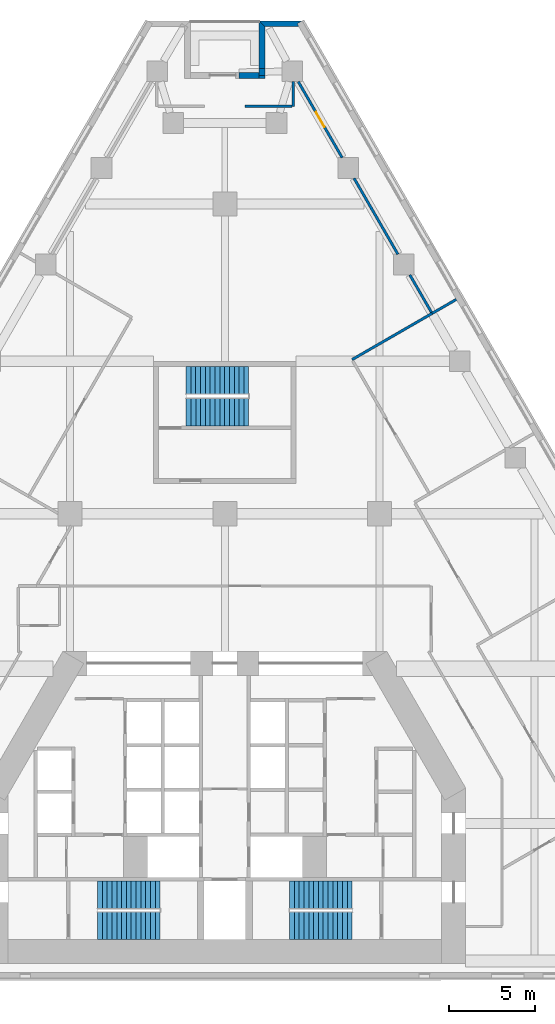
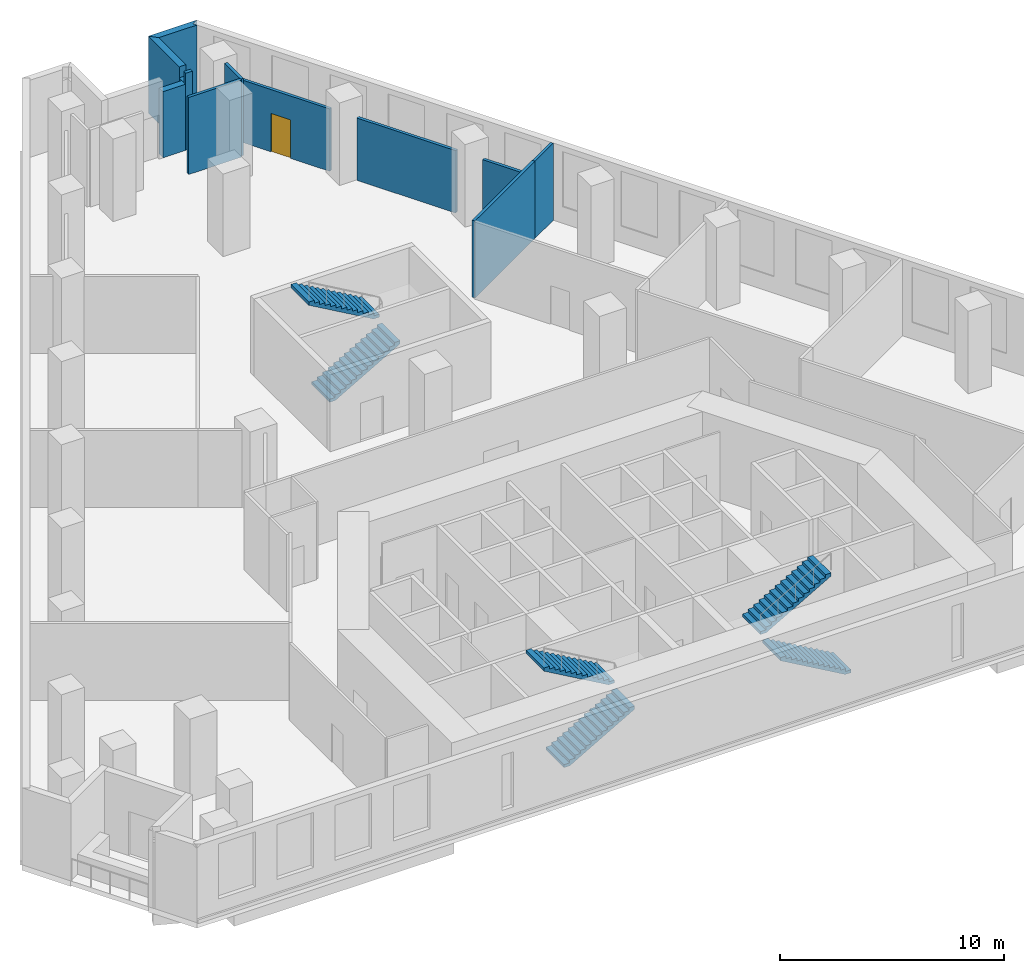
# One storey, part 9 of 10: 12 walls, 6 stair flights, 1 door, 1 opening, 3 elements without a shape of their own.
"""IFC4 building model written with IfcOpenShell, lengths in metres."""

from ifc_helpers import new_model, si_unit, direction, frame, frame_2d, origin, place, context, subcontext, project, spatial, polyline, rectangle, outline, extrude, material, layer, layer_set, type_object, element, fill, aggregate, save


model = new_model("IFC4")

# Units and contexts
model_context = context("Model", 3, precision=1e-05, world=origin(), true_north=direction((0.0, 1.0)))
body_context = subcontext(model_context, "Body", "Model", "MODEL_VIEW")
ifc_project = project(units=[si_unit("LENGTHUNIT", "METRE"), si_unit("AREAUNIT", "SQUARE_METRE"), si_unit("VOLUMEUNIT", "CUBIC_METRE"), si_unit("PLANEANGLEUNIT", "RADIAN"), si_unit("MASSUNIT", "GRAM", prefix="KILO")], contexts=[model_context])

# Site, building, storey
site_placement = place(None, origin())
site = spatial("IfcSite", under=ifc_project, at=site_placement, CompositionType="ELEMENT")
building_placement = place(site_placement, origin())
building = spatial("IfcBuilding", under=site, at=building_placement, Name="Fogline Exchange Tower", CompositionType="ELEMENT")
storey_placement = place(building_placement, frame((0.0, 0.0, 38.5)))
storey = spatial("IfcBuildingStorey", under=building, at=storey_placement, Name="L07", CompositionType="ELEMENT", Elevation=38.5)

# Walls
ifc_material_1 = material(Name="Brick masonry", Category="masonry")
ifc_layer_1 = layer(ifc_material_1, 0.340087890625)
ifc_layer_set_1 = layer_set([ifc_layer_1], Name="FW1")
wall_type_1 = type_object("IfcWallType", Name="FW1", PredefinedType="SOLIDWALL", material=ifc_layer_set_1)
wall_1_placement = place(storey_placement, origin())
element("IfcWall", 1, at=wall_1_placement, inside=storey, type_object=wall_type_1, Name="Brick wall L07 N-c1", PredefinedType="SOLIDWALL", context=body_context, shape_type="SweptSolid", body=[
    extrude(outline(polyline([(1.9990234375, 55.647216796875), (4.5009765625, 55.647216796875), (4.501220703125, 55.646728515625), (4.206298828125, 55.476318359375), (4.3046875, 55.30615234375), (2.33984375, 55.30615234375), (1.998779296875, 55.64697265625), (1.9990234375, 55.647216796875)])), origin(), (0.0, 0.0, 1.0), 4.199951171875),
])
wall_2_placement = place(storey_placement, origin())
element("IfcWall", 2, at=wall_2_placement, inside=storey, type_object=wall_type_1, Name="Brick wall L07 N-s1", PredefinedType="SOLIDWALL", context=body_context, shape_type="SweptSolid", body=[
    extrude(outline(polyline([(1.99951171875, 52.876953125), (2.340576171875, 52.883056640625), (2.340576171875, 52.483154296875), (1.99951171875, 52.476806640625), (1.99951171875, 52.876953125)])), origin(), (0.0, 0.0, 1.0), 3.60009765625),
])
wall_3_placement = place(storey_placement, origin())
element("IfcWall", 3, at=wall_3_placement, inside=storey, type_object=wall_type_1, Name="Brick wall L07 N-s1", PredefinedType="SOLIDWALL", context=body_context, shape_type="SweptSolid", body=[
    extrude(outline(polyline([(1.99951171875, 52.30615234375), (1.99951171875, 52.476806640625), (2.340576171875, 52.483154296875), (2.340576171875, 52.30615234375), (1.99951171875, 52.30615234375)])), origin(), (0.0, 0.0, 1.0), 4.199951171875),
])
wall_4_placement = place(storey_placement, origin())
element("IfcWall", 4, at=wall_4_placement, inside=storey, type_object=wall_type_1, Name="Brick wall L07 N-s1", PredefinedType="SOLIDWALL", context=body_context, shape_type="SweptSolid", body=[
    extrude(outline(polyline([(1.99951171875, 55.647705078125), (1.999755859375, 55.647705078125), (2.340576171875, 55.306884765625), (2.340576171875, 52.883056640625), (1.99951171875, 52.876953125), (1.99951171875, 55.647705078125)])), origin(), (0.0, 0.0, 1.0), 4.199951171875),
])
wall_5_placement = place(storey_placement, frame((2.0, 52.4765625, 0.0), z_axis=(0.0, 0.0, 1.0), x_axis=(-1.0, 0.0, 0.0)))
element("IfcWall", 5, at=wall_5_placement, inside=storey, type_object=wall_type_1, Name="Brick wall L07 N-bk", PredefinedType="SOLIDWALL", context=body_context, shape_type="SweptSolid", body=[
    extrude(rectangle(XDim=1.175537109375, YDim=0.340087890625, at=frame_2d((0.587890625, 0.0))), origin(), (0.0, 0.0, 1.0), 3.60009765625),
])
ifc_material_2 = material(Name="Plasterboard demising partition with mineral wool and acoustic board")
ifc_layer_2 = layer(ifc_material_2, 0.14990234375)
ifc_layer_set_2 = layer_set([ifc_layer_2], Name="PW3")
wall_type_2 = type_object("IfcWallType", Name="PW3", PredefinedType="PARTITIONING", material=ifc_layer_set_2)
wall_6_placement = place(storey_placement, frame((7.392822265625, 35.9560546875, 0.0), z_axis=(0.0, 0.0, 1.0), x_axis=(0.866028186671, 0.499995179869, 0.0)))
element("IfcWall", 6, at=wall_6_placement, inside=storey, type_object=wall_type_2, Name="wall-L07-W019", PredefinedType="PARTITIONING", context=body_context, shape_type="SweptSolid", body=[
    extrude(rectangle(XDim=5.37255859375, YDim=0.14990234375, at=frame_2d((2.686279296875, 0.0))), origin(), (0.0, 0.0, 1.0), 4.199951171875),
])
wall_7_placement = place(storey_placement, frame((12.045654296875, 38.642333984375, 0.0), z_axis=(0.0, 0.0, 1.0), x_axis=(0.866028203713, 0.499995150351, 0.0)))
element("IfcWall", 7, at=wall_7_placement, inside=storey, type_object=wall_type_2, Name="wall-L07-W021", PredefinedType="PARTITIONING", context=body_context, shape_type="SweptSolid", body=[
    extrude(rectangle(XDim=1.62744140625, YDim=0.14990234375, at=frame_2d((0.813720703125, 0.0))), origin(), (0.0, 0.0, 1.0), 4.199951171875),
])
wall_8_placement = place(storey_placement, frame((1.169677734375, 50.67919921875, 0.0), z_axis=(0.0, 0.0, 1.0), x_axis=(1.0, 0.0, 0.0)))
element("IfcWall", 8, at=wall_8_placement, inside=storey, type_object=wall_type_2, Name="wall-L07-W026", PredefinedType="PARTITIONING", context=body_context, shape_type="SweptSolid", body=[
    extrude(rectangle(XDim=2.722900390625, YDim=0.14990234375, at=frame_2d((1.361328125, 0.0))), origin(), (0.0, 0.0, 1.0), 4.199951171875),
])
wall_9_placement = place(storey_placement, frame((3.967529296875, 50.67919921875, 0.0), z_axis=(0.0, 0.0, 1.0), x_axis=(0.0, 1.0, 0.0)))
element("IfcWall", 9, at=wall_9_placement, inside=storey, type_object=wall_type_2, Name="wall-L07-W027", PredefinedType="PARTITIONING", context=body_context, shape_type="SweptSolid", body=[
    extrude(rectangle(XDim=1.4326171875, YDim=0.14990234375, at=frame_2d((0.71630859375, 0.0))), origin(), (0.0, 0.0, 1.0), 4.199951171875),
])

# Wall, opening, door
wall_10_placement = place(storey_placement, frame((4.26904296875, 52.11181640625, 0.0), z_axis=(0.0, 0.0, 1.0), x_axis=(0.499991921166, -0.866030068051, 0.0)))
wall_10 = element("IfcWall", 10, at=wall_10_placement, inside=storey, type_object=wall_type_2, Name="wall-L07-W028", PredefinedType="PARTITIONING", context=body_context, shape_type="SweptSolid", body=[
    extrude(rectangle(XDim=5.09765625, YDim=0.14990234375, at=frame_2d((2.548828125, 0.0))), origin(), (0.0, 0.0, 1.0), 3.39990234375),
])
opening_placement = place(wall_10_placement, frame((2.048828125, 0.0, 0.0)))
opening = element("IfcOpeningElement", 11, at=opening_placement, cuts=wall_10, Name="Opening T02-D008", PredefinedType="OPENING", context=body_context, shape_type="SweptSolid", body=[
    extrude(rectangle(XDim=1.0, YDim=2.10009765625, at=frame_2d((0.5, 1.050048828125))), frame((0.0, 0.0849609375, 0.0), z_axis=(0.0, -1.0, 0.0), x_axis=(1.0, 0.0, 0.0)), (0.0, 0.0, 1.0), 0.169921875),
])
ifc_material_3 = material(Name="Fire-rated timber door leaf with steel frame", Category="steel")
door_type = type_object("IfcDoorType", Name="D3", OperationType="SINGLE_SWING_LEFT", PredefinedType="DOOR", material=ifc_material_3)
door_placement = place(opening_placement, origin())
door = element("IfcDoor", 12, at=door_placement, inside=storey, type_object=door_type, Name="door-L07-D008", OperationType="SINGLE_SWING_RIGHT", OverallHeight=2.10009765625, OverallWidth=1.0, PredefinedType="DOOR", context=body_context, shape_type="SweptSolid", body=[
    extrude(rectangle(XDim=1.0, YDim=2.10009765625, at=frame_2d((0.5, 1.050048828125))), frame((0.0, 0.02490234375, 0.0), z_axis=(0.0, -1.0, 0.0), x_axis=(1.0, 0.0, 0.0)), (0.0, 0.0, 1.0), 0.050048828125),
])
fill(opening, door)

# Walls
wall_11_placement = place(storey_placement, frame((7.5107421875, 46.4970703125, 0.0), z_axis=(0.0, 0.0, 1.0), x_axis=(0.499991921166, -0.866030068051, 0.0)))
element("IfcWall", 13, at=wall_11_placement, inside=storey, type_object=wall_type_2, Name="wall-L07-W029", PredefinedType="PARTITIONING", context=body_context, shape_type="SweptSolid", body=[
    extrude(rectangle(XDim=5.09765625, YDim=0.14990234375, at=frame_2d((2.548828125, 0.0))), origin(), (0.0, 0.0, 1.0), 3.39990234375),
])
wall_12_placement = place(storey_placement, frame((10.75244140625, 40.88232421875, 0.0), z_axis=(0.0, 0.0, 1.0), x_axis=(0.499997360652, -0.866026927608, 0.0)))
element("IfcWall", 14, at=wall_12_placement, inside=storey, type_object=wall_type_2, Name="wall-L07-W030", PredefinedType="PARTITIONING", context=body_context, shape_type="SweptSolid", body=[
    extrude(rectangle(XDim=2.51123046875, YDim=0.14990234375, at=frame_2d((1.255615234375, 0.0))), origin(), (0.0, 0.0, 1.0), 3.39990234375),
])

# Stair, stair flights
ifc_material_4 = material(Name="Concrete C40", Category="concrete")
stair_type = type_object("IfcStairType", Name="STR28-1607", PredefinedType="HALF_TURN_STAIR", material=ifc_material_4)
stair_1_placement = place(storey_placement, origin())
stair_1 = element("IfcStair", 15, at=stair_1_placement, inside=storey, type_object=stair_type, Name="Stair ST1", PredefinedType="HALF_TURN_STAIR")
stair_flight_type = type_object("IfcStairFlightType", Name="SF14-1607", PredefinedType="STRAIGHT", material=ifc_material_4)
stair_flight_1_placement = place(storey_placement, frame((-7.39990234375, 3.050048828125, 0.0), z_axis=(0.0, 0.0, 1.0), x_axis=(1.0, 0.0, 0.0)))
stair_flight_1 = element("IfcStairFlight", 16, at=stair_flight_1_placement, type_object=stair_flight_type, Name="ST1 flight 1", NumberOfRisers=14, NumberOfTreads=13, PredefinedType="STRAIGHT", RiserHeight=0.160714286, TreadLength=0.28, context=body_context, shape_type="SweptSolid", body=[
    extrude(outline(polyline([(0.0, 0.0), (0.0, 0.16064453125), (0.280029296875, 0.16064453125), (0.280029296875, 0.321533203125), (0.56005859375, 0.321533203125), (0.56005859375, 0.482177734375), (0.840087890625, 0.482177734375), (0.840087890625, 0.642822265625), (1.1201171875, 0.642822265625), (1.1201171875, 0.803466796875), (1.39990234375, 0.803466796875), (1.39990234375, 0.96435546875), (1.679931640625, 0.96435546875), (1.679931640625, 1.125), (1.9599609375, 1.125), (1.9599609375, 1.28564453125), (2.239990234375, 1.28564453125), (2.239990234375, 1.446533203125), (2.52001953125, 1.446533203125), (2.52001953125, 1.607177734375), (2.800048828125, 1.607177734375), (2.800048828125, 1.767822265625), (3.080078125, 1.767822265625), (3.080078125, 1.928466796875), (3.360107421875, 1.928466796875), (3.360107421875, 2.08935546875), (3.639892578125, 2.08935546875), (3.639892578125, 2.25), (3.639892578125, 1.91650390625), (0.301025390625, 0.0), (0.0, 0.0)])), frame((0.0, 0.800048828125, 0.0), z_axis=(0.0, -1.0, 0.0), x_axis=(1.0, 0.0, 0.0)), (0.0, 0.0, 1.0), 1.60009765625),
])
stair_flight_2_placement = place(storey_placement, frame((-3.760009765625, 4.85009765625, 2.25), z_axis=(0.0, 0.0, 1.0), x_axis=(-1.0, 0.0, 0.0)))
stair_flight_2 = element("IfcStairFlight", 17, at=stair_flight_2_placement, type_object=stair_flight_type, Name="ST1 flight 2", NumberOfRisers=14, NumberOfTreads=13, PredefinedType="STRAIGHT", RiserHeight=0.160714286, TreadLength=0.28, context=body_context, shape_type="SweptSolid", body=[
    extrude(outline(polyline([(0.0, 0.0), (0.0, 0.16064453125), (0.280029296875, 0.16064453125), (0.280029296875, 0.321533203125), (0.56005859375, 0.321533203125), (0.56005859375, 0.482177734375), (0.840087890625, 0.482177734375), (0.840087890625, 0.642822265625), (1.1201171875, 0.642822265625), (1.1201171875, 0.803466796875), (1.39990234375, 0.803466796875), (1.39990234375, 0.96435546875), (1.679931640625, 0.96435546875), (1.679931640625, 1.125), (1.9599609375, 1.125), (1.9599609375, 1.28564453125), (2.239990234375, 1.28564453125), (2.239990234375, 1.446533203125), (2.52001953125, 1.446533203125), (2.52001953125, 1.607177734375), (2.800048828125, 1.607177734375), (2.800048828125, 1.767822265625), (3.080078125, 1.767822265625), (3.080078125, 1.928466796875), (3.360107421875, 1.928466796875), (3.360107421875, 2.08935546875), (3.639892578125, 2.08935546875), (3.639892578125, 2.25), (3.639892578125, 1.91650390625), (0.301025390625, 0.0), (0.0, 0.0)])), frame((0.0, 0.800048828125, 0.0), z_axis=(0.0, -1.0, 0.0), x_axis=(1.0, 0.0, 0.0)), (0.0, 0.0, 1.0), 1.60009765625),
])
aggregate(stair_1, [stair_flight_1, stair_flight_2])

stair_2_placement = place(storey_placement, origin())
stair_2 = element("IfcStair", 18, at=stair_2_placement, inside=storey, type_object=stair_type, Name="Stair ST2", PredefinedType="HALF_TURN_STAIR")
stair_flight_3_placement = place(storey_placement, frame((7.39990234375, 3.050048828125, 0.0), z_axis=(0.0, 0.0, 1.0), x_axis=(-1.0, 0.0, 0.0)))
stair_flight_3 = element("IfcStairFlight", 19, at=stair_flight_3_placement, type_object=stair_flight_type, Name="ST2 flight 1", NumberOfRisers=14, NumberOfTreads=13, PredefinedType="STRAIGHT", RiserHeight=0.160714286, TreadLength=0.28, context=body_context, shape_type="SweptSolid", body=[
    extrude(outline(polyline([(0.0, 0.0), (0.0, 0.16064453125), (0.280029296875, 0.16064453125), (0.280029296875, 0.321533203125), (0.56005859375, 0.321533203125), (0.56005859375, 0.482177734375), (0.840087890625, 0.482177734375), (0.840087890625, 0.642822265625), (1.1201171875, 0.642822265625), (1.1201171875, 0.803466796875), (1.39990234375, 0.803466796875), (1.39990234375, 0.96435546875), (1.679931640625, 0.96435546875), (1.679931640625, 1.125), (1.9599609375, 1.125), (1.9599609375, 1.28564453125), (2.239990234375, 1.28564453125), (2.239990234375, 1.446533203125), (2.52001953125, 1.446533203125), (2.52001953125, 1.607177734375), (2.800048828125, 1.607177734375), (2.800048828125, 1.767822265625), (3.080078125, 1.767822265625), (3.080078125, 1.928466796875), (3.360107421875, 1.928466796875), (3.360107421875, 2.08935546875), (3.639892578125, 2.08935546875), (3.639892578125, 2.25), (3.639892578125, 1.91650390625), (0.301025390625, 0.0), (0.0, 0.0)])), frame((0.0, 0.800048828125, 0.0), z_axis=(0.0, -1.0, 0.0), x_axis=(1.0, 0.0, 0.0)), (0.0, 0.0, 1.0), 1.60009765625),
])
stair_flight_4_placement = place(storey_placement, frame((3.760009765625, 4.85009765625, 2.25), z_axis=(0.0, 0.0, 1.0), x_axis=(1.0, 0.0, 0.0)))
stair_flight_4 = element("IfcStairFlight", 20, at=stair_flight_4_placement, type_object=stair_flight_type, Name="ST2 flight 2", NumberOfRisers=14, NumberOfTreads=13, PredefinedType="STRAIGHT", RiserHeight=0.160714286, TreadLength=0.28, context=body_context, shape_type="SweptSolid", body=[
    extrude(outline(polyline([(0.0, 0.0), (0.0, 0.16064453125), (0.280029296875, 0.16064453125), (0.280029296875, 0.321533203125), (0.56005859375, 0.321533203125), (0.56005859375, 0.482177734375), (0.840087890625, 0.482177734375), (0.840087890625, 0.642822265625), (1.1201171875, 0.642822265625), (1.1201171875, 0.803466796875), (1.39990234375, 0.803466796875), (1.39990234375, 0.96435546875), (1.679931640625, 0.96435546875), (1.679931640625, 1.125), (1.9599609375, 1.125), (1.9599609375, 1.28564453125), (2.239990234375, 1.28564453125), (2.239990234375, 1.446533203125), (2.52001953125, 1.446533203125), (2.52001953125, 1.607177734375), (2.800048828125, 1.607177734375), (2.800048828125, 1.767822265625), (3.080078125, 1.767822265625), (3.080078125, 1.928466796875), (3.360107421875, 1.928466796875), (3.360107421875, 2.08935546875), (3.639892578125, 2.08935546875), (3.639892578125, 2.25), (3.639892578125, 1.91650390625), (0.301025390625, 0.0), (0.0, 0.0)])), frame((0.0, 0.800048828125, 0.0), z_axis=(0.0, -1.0, 0.0), x_axis=(1.0, 0.0, 0.0)), (0.0, 0.0, 1.0), 1.60009765625),
])
aggregate(stair_2, [stair_flight_3, stair_flight_4])

stair_3_placement = place(storey_placement, origin())
stair_3 = element("IfcStair", 21, at=stair_3_placement, inside=storey, type_object=stair_type, Name="Stair ST3", PredefinedType="HALF_TURN_STAIR")
stair_flight_5_placement = place(storey_placement, frame((-2.25, 32.906982421875, 0.0), z_axis=(0.0, 0.0, 1.0), x_axis=(1.0, 0.0, 0.0)))
stair_flight_5 = element("IfcStairFlight", 22, at=stair_flight_5_placement, type_object=stair_flight_type, Name="ST3 flight 1", NumberOfRisers=14, NumberOfTreads=13, PredefinedType="STRAIGHT", RiserHeight=0.160714286, TreadLength=0.28, context=body_context, shape_type="SweptSolid", body=[
    extrude(outline(polyline([(0.0, 0.0), (0.0, 0.16064453125), (0.280029296875, 0.16064453125), (0.280029296875, 0.321533203125), (0.56005859375, 0.321533203125), (0.56005859375, 0.482177734375), (0.840087890625, 0.482177734375), (0.840087890625, 0.642822265625), (1.1201171875, 0.642822265625), (1.1201171875, 0.803466796875), (1.39990234375, 0.803466796875), (1.39990234375, 0.96435546875), (1.679931640625, 0.96435546875), (1.679931640625, 1.125), (1.9599609375, 1.125), (1.9599609375, 1.28564453125), (2.239990234375, 1.28564453125), (2.239990234375, 1.446533203125), (2.52001953125, 1.446533203125), (2.52001953125, 1.607177734375), (2.800048828125, 1.607177734375), (2.800048828125, 1.767822265625), (3.080078125, 1.767822265625), (3.080078125, 1.928466796875), (3.360107421875, 1.928466796875), (3.360107421875, 2.08935546875), (3.639892578125, 2.08935546875), (3.639892578125, 2.25), (3.639892578125, 1.91650390625), (0.301025390625, 0.0), (0.0, 0.0)])), frame((0.0, 0.800048828125, 0.0), z_axis=(0.0, -1.0, 0.0), x_axis=(1.0, 0.0, 0.0)), (0.0, 0.0, 1.0), 1.60009765625),
])
stair_flight_6_placement = place(storey_placement, frame((1.389892578125, 34.757080078125, 2.25), z_axis=(0.0, 0.0, 1.0), x_axis=(-1.0, 0.0, 0.0)))
stair_flight_6 = element("IfcStairFlight", 23, at=stair_flight_6_placement, type_object=stair_flight_type, Name="ST3 flight 2", NumberOfRisers=14, NumberOfTreads=13, PredefinedType="STRAIGHT", RiserHeight=0.160714286, TreadLength=0.28, context=body_context, shape_type="SweptSolid", body=[
    extrude(outline(polyline([(0.0, 0.0), (0.0, 0.16064453125), (0.280029296875, 0.16064453125), (0.280029296875, 0.321533203125), (0.56005859375, 0.321533203125), (0.56005859375, 0.482177734375), (0.840087890625, 0.482177734375), (0.840087890625, 0.642822265625), (1.1201171875, 0.642822265625), (1.1201171875, 0.803466796875), (1.39990234375, 0.803466796875), (1.39990234375, 0.96435546875), (1.679931640625, 0.96435546875), (1.679931640625, 1.125), (1.9599609375, 1.125), (1.9599609375, 1.28564453125), (2.239990234375, 1.28564453125), (2.239990234375, 1.446533203125), (2.52001953125, 1.446533203125), (2.52001953125, 1.607177734375), (2.800048828125, 1.607177734375), (2.800048828125, 1.767822265625), (3.080078125, 1.767822265625), (3.080078125, 1.928466796875), (3.360107421875, 1.928466796875), (3.360107421875, 2.08935546875), (3.639892578125, 2.08935546875), (3.639892578125, 2.25), (3.639892578125, 1.91650390625), (0.301025390625, 0.0), (0.0, 0.0)])), frame((0.0, 0.800048828125, 0.0), z_axis=(0.0, -1.0, 0.0), x_axis=(1.0, 0.0, 0.0)), (0.0, 0.0, 1.0), 1.60009765625),
])
aggregate(stair_3, [stair_flight_5, stair_flight_6])

save(model, "model.ifc")
